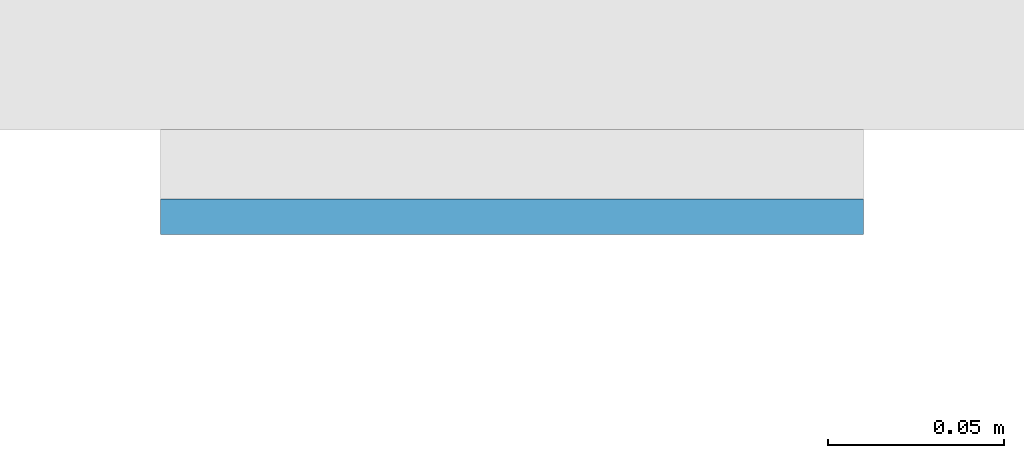
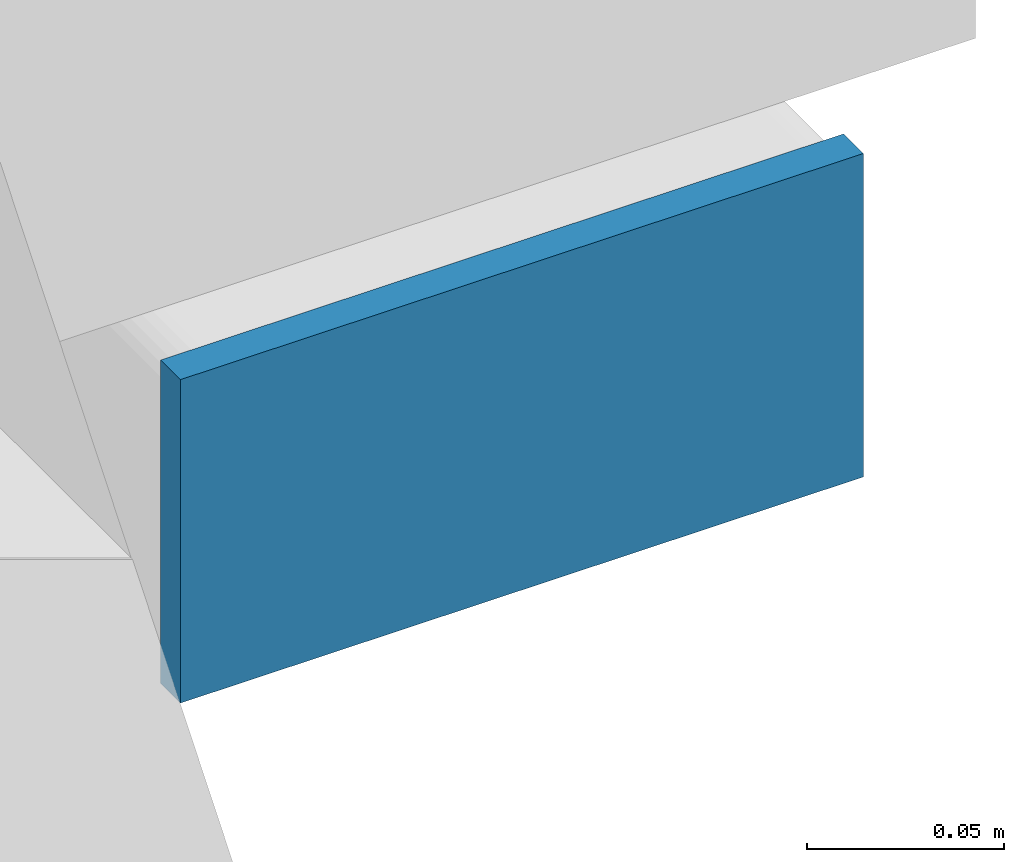
# One storey, part 10 of 20: 1 plate.
"""IFC4 building model written with IfcOpenShell, lengths in metres."""

from ifc_helpers import new_model, si_unit, direction, frame, origin, origin_2d, place, context, subcontext, project, spatial, rectangle, extrude, material, layer, layer_set, type_object, element, save


model = new_model("IFC4")

# Units and contexts
model_context = context("Model", 3, precision=1e-05, world=origin(), true_north=direction((0.0, 1.0)))
body_context = subcontext(model_context, "Body", "Model", "MODEL_VIEW")
ifc_project = project(units=[si_unit("LENGTHUNIT", "METRE"), si_unit("AREAUNIT", "SQUARE_METRE"), si_unit("VOLUMEUNIT", "CUBIC_METRE"), si_unit("PLANEANGLEUNIT", "RADIAN"), si_unit("MASSUNIT", "GRAM", prefix="KILO")], contexts=[model_context])

# Site, building, storey
site_placement = place(None, origin())
site = spatial("IfcSite", under=ifc_project, at=site_placement, CompositionType="ELEMENT")
building_placement = place(site_placement, origin())
building = spatial("IfcBuilding", under=site, at=building_placement, Name="Cleftline Residences", CompositionType="ELEMENT")
storey_placement = place(building_placement, frame((0.0, 0.0, 69.199951171875)))
storey = spatial("IfcBuildingStorey", under=building, at=storey_placement, Name="L17", CompositionType="ELEMENT", Elevation=69.199951171875)

# Plate
ifc_material = material(Name="Steel S355, hot-dip galvanised", Category="steel")
ifc_layer = layer(ifc_material, 0.010009765625)
ifc_layer_set = layer_set([ifc_layer], Name="BAGUETTE CARRIER END PLATE 200X100X10")
plate_type = type_object("IfcPlateType", Name="BAGUETTE CARRIER END PLATE 200X100X10", PredefinedType="USERDEFINED", material=ifc_layer_set)
plate_placement = place(storey_placement, frame((66.85009765625, 3.695068359375, -0.10009765625), z_axis=(0.0, 0.0, 1.0), x_axis=(1.0, 0.0, 0.0)))
element("IfcPlate", 1, at=plate_placement, inside=storey, type_object=plate_type, Name="Baguette carrier end plate", ObjectType="BAGUETTE CARRIER END PLATE", PredefinedType="USERDEFINED", context=body_context, shape_type="SweptSolid", body=[
    extrude(rectangle(XDim=0.199951171875, YDim=0.010009765625, at=origin_2d()), origin(), (0.0, 0.0, 1.0), 0.10009765625),
])

save(model, "model.ifc")
